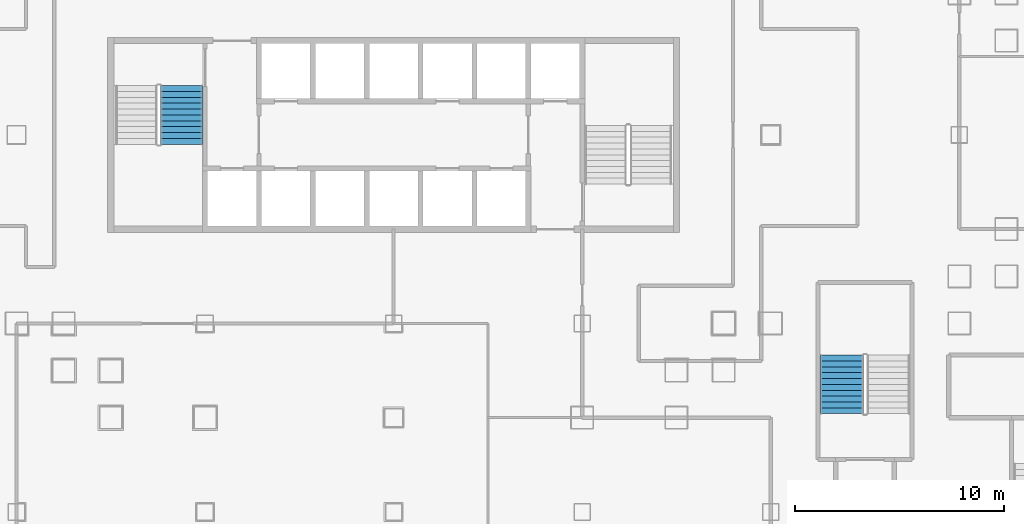
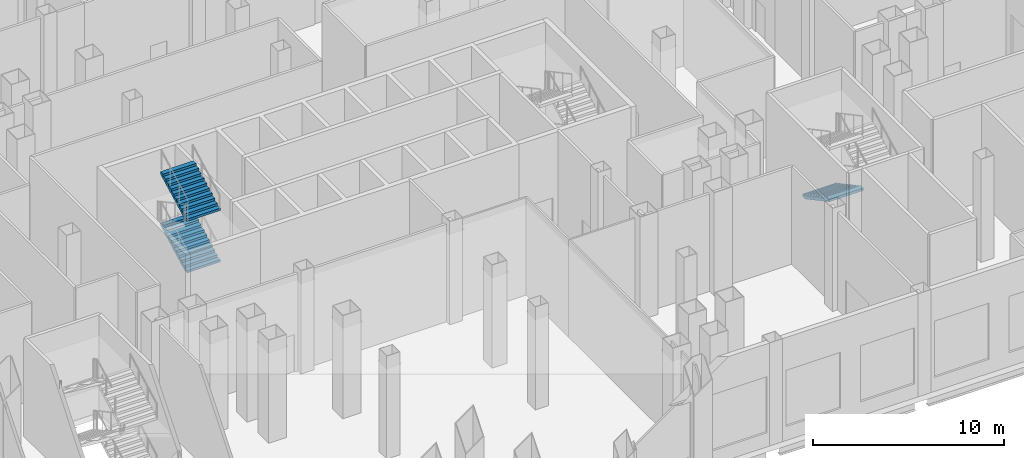
# One storey, part 11 of 26: 3 stair flights, 2 elements without a shape of their own.
"""IFC4 building model written with IfcOpenShell, lengths in metres."""

from ifc_helpers import new_model, si_unit, direction, frame, origin, place, context, subcontext, project, spatial, polygons, material, type_object, element, aggregate, save


model = new_model("IFC4")

# Units and contexts
model_context = context("Model", 3, precision=1e-05, world=origin(), true_north=direction((0.0, 1.0)))
body_context = subcontext(model_context, "Body", "Model", "MODEL_VIEW")
ifc_project = project(units=[si_unit("LENGTHUNIT", "METRE"), si_unit("AREAUNIT", "SQUARE_METRE"), si_unit("VOLUMEUNIT", "CUBIC_METRE"), si_unit("PLANEANGLEUNIT", "RADIAN"), si_unit("MASSUNIT", "GRAM", prefix="KILO")], contexts=[model_context])

# Site, building, storey
site_placement = place(None, origin())
site = spatial("IfcSite", under=ifc_project, at=site_placement, CompositionType="ELEMENT")
building_placement = place(site_placement, origin())
building = spatial("IfcBuilding", under=site, at=building_placement, Name="Caravel Reach Hotel and Residences", CompositionType="ELEMENT")
storey_placement = place(building_placement, frame((0.0, 0.0, 17.39990234375)))
storey = spatial("IfcBuildingStorey", under=building, at=storey_placement, Name="L03", CompositionType="ELEMENT", Elevation=17.39990234375)

# Stair, stair flights
ifc_material_1 = material(Name="Concrete C40", Category="concrete")
stair_type = type_object("IfcStairType", Name="Core stair", PredefinedType="HALF_TURN_STAIR", material=ifc_material_1)
stair_1_placement = place(storey_placement, origin())
stair_1 = element("IfcStair", 1, at=stair_1_placement, inside=storey, type_object=stair_type, Name="L03 Exit stair A", PredefinedType="HALF_TURN_STAIR")
ifc_material_2 = material(Name="Concrete C40", Category="concrete")
stair_flight_type = type_object("IfcStairFlightType", Name="Core stair flight", PredefinedType="STRAIGHT", material=ifc_material_2)
stair_flight_1_placement = place(storey_placement, frame((21.375, 26.550048828125, 1.650146484375), z_axis=(0.0, 0.0, 1.0), x_axis=(0.0, 1.0, 0.0)))
stair_flight_1 = element("IfcStairFlight", 2, at=stair_flight_1_placement, type_object=stair_flight_type, Name="ST-A flight 2", NumberOfRisers=11, NumberOfTreads=10, PredefinedType="STRAIGHT", RiserHeight=0.15, TreadLength=0.28, context=body_context, shape_type="Tessellation", body=[
    polygons([(0.3174408016601862, 1.0, 0.0), (0.3174408016601862, 0.6666666666666667, 0.0), (0.3174408016601862, 0.33333333333333337, 0.0), (0.3174408016601862, 0.0, 0.0), (0.3174408016601862, -0.33333333333333326, 0.0), (0.3174408016601862, -0.6666666666666667, 0.0), (0.3174408016601862, -1.0, 0.0), (2.801, 1.0, 1.329942427682043), (2.801, 0.6666666666666667, 1.329942427682043), (2.801, 0.33333333333333337, 1.329942427682043), (2.801, 0.0, 1.329942427682043), (2.801, -0.33333333333333326, 1.329942427682043), (2.801, -0.6666666666666667, 1.329942427682043), (2.801, -1.0, 1.329942427682043), (2.801, 1.0, 1.5), (2.801, 0.6666666666666667, 1.5), (2.801, 0.33333333333333337, 1.5), (2.801, 0.0, 1.5), (2.801, -0.33333333333333326, 1.5), (2.801, -0.6666666666666667, 1.5), (2.801, -1.0, 1.5), (2.5200000000000005, 1.0, 1.5), (2.5200000000000005, 0.6666666666666667, 1.5), (2.5200000000000005, 0.33333333333333337, 1.5), (2.5200000000000005, 0.0, 1.5), (2.5200000000000005, -0.33333333333333326, 1.5), (2.5200000000000005, -0.6666666666666667, 1.5), (2.5200000000000005, -1.0, 1.5), (2.5200000000000005, 1.0, 1.3499999999999999), (2.5200000000000005, 0.6666666666666667, 1.3499999999999999), (2.5200000000000005, 0.33333333333333337, 1.3499999999999999), (2.5200000000000005, 0.0, 1.3499999999999999), (2.5200000000000005, -0.33333333333333326, 1.3499999999999999), (2.5200000000000005, -0.6666666666666667, 1.3499999999999999), (2.5200000000000005, -1.0, 1.3499999999999999), (2.24, 1.0, 1.3499999999999999), (2.24, 0.6666666666666667, 1.3499999999999999), (2.24, 0.33333333333333337, 1.3499999999999999), (2.24, 0.0, 1.3499999999999999), (2.24, -0.33333333333333326, 1.3499999999999999), (2.24, -0.6666666666666667, 1.3499999999999999), (2.24, -1.0, 1.3499999999999999), (2.24, 1.0, 1.2), (2.24, 0.6666666666666667, 1.2), (2.24, 0.33333333333333337, 1.2), (2.24, 0.0, 1.2), (2.24, -0.33333333333333326, 1.2), (2.24, -0.6666666666666667, 1.2), (2.24, -1.0, 1.2), (1.9600000000000002, 1.0, 1.2), (1.9600000000000002, 0.6666666666666667, 1.2), (1.9600000000000002, 0.33333333333333337, 1.2), (1.9600000000000002, 0.0, 1.2), (1.9600000000000002, -0.33333333333333326, 1.2), (1.9600000000000002, -0.6666666666666667, 1.2), (1.9600000000000002, -1.0, 1.2), (1.9600000000000002, 1.0, 1.05), (1.9600000000000002, 0.6666666666666667, 1.05), (1.9600000000000002, 0.33333333333333337, 1.05), (1.9600000000000002, 0.0, 1.05), (1.9600000000000002, -0.33333333333333326, 1.05), (1.9600000000000002, -0.6666666666666667, 1.05), (1.9600000000000002, -1.0, 1.05), (1.6800000000000002, 1.0, 1.05), (1.6800000000000002, 0.6666666666666667, 1.05), (1.6800000000000002, 0.33333333333333337, 1.05), (1.6800000000000002, 0.0, 1.05), (1.6800000000000002, -0.33333333333333326, 1.05), (1.6800000000000002, -0.6666666666666667, 1.05), (1.6800000000000002, -1.0, 1.05), (1.6800000000000002, 1.0, 0.8999999999999999), (1.6800000000000002, 0.6666666666666667, 0.8999999999999999), (1.6800000000000002, 0.33333333333333337, 0.8999999999999999), (1.6800000000000002, 0.0, 0.8999999999999999), (1.6800000000000002, -0.33333333333333326, 0.8999999999999999), (1.6800000000000002, -0.6666666666666667, 0.8999999999999999), (1.6800000000000002, -1.0, 0.8999999999999999), (1.4000000000000001, 1.0, 0.8999999999999999), (1.4000000000000001, 0.6666666666666667, 0.8999999999999999), (1.4000000000000001, 0.33333333333333337, 0.8999999999999999), (1.4000000000000001, 0.0, 0.8999999999999999), (1.4000000000000001, -0.33333333333333326, 0.8999999999999999), (1.4000000000000001, -0.6666666666666667, 0.8999999999999999), (1.4000000000000001, -1.0, 0.8999999999999999), (1.4000000000000001, 1.0, 0.75), (1.4000000000000001, 0.6666666666666667, 0.75), (1.4000000000000001, 0.33333333333333337, 0.75), (1.4000000000000001, 0.0, 0.75), (1.4000000000000001, -0.33333333333333326, 0.75), (1.4000000000000001, -0.6666666666666667, 0.75), (1.4000000000000001, -1.0, 0.75), (1.12, 1.0, 0.75), (1.12, 0.6666666666666667, 0.75), (1.12, 0.33333333333333337, 0.75), (1.12, 0.0, 0.75), (1.12, -0.33333333333333326, 0.75), (1.12, -0.6666666666666667, 0.75), (1.12, -1.0, 0.75), (1.12, 1.0, 0.6), (1.12, 0.6666666666666667, 0.6), (1.12, 0.33333333333333337, 0.6), (1.12, 0.0, 0.6), (1.12, -0.33333333333333326, 0.6), (1.12, -0.6666666666666667, 0.6), (1.12, -1.0, 0.6), (0.8400000000000001, 1.0, 0.6), (0.8400000000000001, 0.6666666666666667, 0.6), (0.8400000000000001, 0.33333333333333337, 0.6), (0.8400000000000001, 0.0, 0.6), (0.8400000000000001, -0.33333333333333326, 0.6), (0.8400000000000001, -0.6666666666666667, 0.6), (0.8400000000000001, -1.0, 0.6), (0.8400000000000001, 1.0, 0.44999999999999996), (0.8400000000000001, 0.6666666666666667, 0.44999999999999996), (0.8400000000000001, 0.33333333333333337, 0.44999999999999996), (0.8400000000000001, 0.0, 0.44999999999999996), (0.8400000000000001, -0.33333333333333326, 0.44999999999999996), (0.8400000000000001, -0.6666666666666667, 0.44999999999999996), (0.8400000000000001, -1.0, 0.44999999999999996), (0.56, 1.0, 0.44999999999999996), (0.56, 0.6666666666666667, 0.44999999999999996), (0.56, 0.33333333333333337, 0.44999999999999996), (0.56, 0.0, 0.44999999999999996), (0.56, -0.33333333333333326, 0.44999999999999996), (0.56, -0.6666666666666667, 0.44999999999999996), (0.56, -1.0, 0.44999999999999996), (0.56, 1.0, 0.3), (0.56, 0.6666666666666667, 0.3), (0.56, 0.33333333333333337, 0.3), (0.56, 0.0, 0.3), (0.56, -0.33333333333333326, 0.3), (0.56, -0.6666666666666667, 0.3), (0.56, -1.0, 0.3), (0.28, 1.0, 0.3), (0.28, 0.6666666666666667, 0.3), (0.28, 0.33333333333333337, 0.3), (0.28, 0.0, 0.3), (0.28, -0.33333333333333326, 0.3), (0.28, -0.6666666666666667, 0.3), (0.28, -1.0, 0.3), (0.28, 1.0, 0.15), (0.28, 0.6666666666666667, 0.15), (0.28, 0.33333333333333337, 0.15), (0.28, 0.0, 0.15), (0.28, -0.33333333333333326, 0.15), (0.28, -0.6666666666666667, 0.15), (0.28, -1.0, 0.15), (-0.001, 1.0, 0.15), (-0.001, 0.6666666666666667, 0.15), (-0.001, 0.33333333333333337, 0.15), (-0.001, 0.0, 0.15), (-0.001, -0.33333333333333326, 0.15), (-0.001, -0.6666666666666667, 0.15), (-0.001, -1.0, 0.15), (-0.001, 1.0, 0.0), (-0.001, 0.6666666666666667, 0.0), (-0.001, 0.33333333333333337, 0.0), (-0.001, 0.0, 0.0), (-0.001, -0.33333333333333326, 0.0), (-0.001, -0.6666666666666667, 0.0), (-0.001, -1.0, 0.0)], [[[155, 148, 141, 134, 127, 120, 113, 106, 99, 92, 85, 78, 71, 64, 57, 50, 43, 36, 29, 22, 15, 8, 1]], [[7, 14, 21, 28, 35, 42, 49, 56, 63, 70, 77, 84, 91, 98, 105, 112, 119, 126, 133, 140, 147, 154, 161]], [[1, 8, 9, 2]], [[2, 9, 10, 3]], [[3, 10, 11, 4]], [[4, 11, 12, 5]], [[5, 12, 13, 6]], [[6, 13, 14, 7]], [[8, 15, 16, 9]], [[9, 16, 17, 10]], [[10, 17, 18, 11]], [[11, 18, 19, 12]], [[12, 19, 20, 13]], [[13, 20, 21, 14]], [[15, 22, 23, 16]], [[16, 23, 24, 17]], [[17, 24, 25, 18]], [[18, 25, 26, 19]], [[19, 26, 27, 20]], [[20, 27, 28, 21]], [[22, 29, 30, 23]], [[23, 30, 31, 24]], [[24, 31, 32, 25]], [[25, 32, 33, 26]], [[26, 33, 34, 27]], [[27, 34, 35, 28]], [[29, 36, 37, 30]], [[30, 37, 38, 31]], [[31, 38, 39, 32]], [[32, 39, 40, 33]], [[33, 40, 41, 34]], [[34, 41, 42, 35]], [[36, 43, 44, 37]], [[37, 44, 45, 38]], [[38, 45, 46, 39]], [[39, 46, 47, 40]], [[40, 47, 48, 41]], [[41, 48, 49, 42]], [[43, 50, 51, 44]], [[44, 51, 52, 45]], [[45, 52, 53, 46]], [[46, 53, 54, 47]], [[47, 54, 55, 48]], [[48, 55, 56, 49]], [[50, 57, 58, 51]], [[51, 58, 59, 52]], [[52, 59, 60, 53]], [[53, 60, 61, 54]], [[54, 61, 62, 55]], [[55, 62, 63, 56]], [[57, 64, 65, 58]], [[58, 65, 66, 59]], [[59, 66, 67, 60]], [[60, 67, 68, 61]], [[61, 68, 69, 62]], [[62, 69, 70, 63]], [[64, 71, 72, 65]], [[65, 72, 73, 66]], [[66, 73, 74, 67]], [[67, 74, 75, 68]], [[68, 75, 76, 69]], [[69, 76, 77, 70]], [[71, 78, 79, 72]], [[72, 79, 80, 73]], [[73, 80, 81, 74]], [[74, 81, 82, 75]], [[75, 82, 83, 76]], [[76, 83, 84, 77]], [[78, 85, 86, 79]], [[79, 86, 87, 80]], [[80, 87, 88, 81]], [[81, 88, 89, 82]], [[82, 89, 90, 83]], [[83, 90, 91, 84]], [[85, 92, 93, 86]], [[86, 93, 94, 87]], [[87, 94, 95, 88]], [[88, 95, 96, 89]], [[89, 96, 97, 90]], [[90, 97, 98, 91]], [[92, 99, 100, 93]], [[93, 100, 101, 94]], [[94, 101, 102, 95]], [[95, 102, 103, 96]], [[96, 103, 104, 97]], [[97, 104, 105, 98]], [[99, 106, 107, 100]], [[100, 107, 108, 101]], [[101, 108, 109, 102]], [[102, 109, 110, 103]], [[103, 110, 111, 104]], [[104, 111, 112, 105]], [[106, 113, 114, 107]], [[107, 114, 115, 108]], [[108, 115, 116, 109]], [[109, 116, 117, 110]], [[110, 117, 118, 111]], [[111, 118, 119, 112]], [[113, 120, 121, 114]], [[114, 121, 122, 115]], [[115, 122, 123, 116]], [[116, 123, 124, 117]], [[117, 124, 125, 118]], [[118, 125, 126, 119]], [[120, 127, 128, 121]], [[121, 128, 129, 122]], [[122, 129, 130, 123]], [[123, 130, 131, 124]], [[124, 131, 132, 125]], [[125, 132, 133, 126]], [[127, 134, 135, 128]], [[128, 135, 136, 129]], [[129, 136, 137, 130]], [[130, 137, 138, 131]], [[131, 138, 139, 132]], [[132, 139, 140, 133]], [[134, 141, 142, 135]], [[135, 142, 143, 136]], [[136, 143, 144, 137]], [[137, 144, 145, 138]], [[138, 145, 146, 139]], [[139, 146, 147, 140]], [[141, 148, 149, 142]], [[142, 149, 150, 143]], [[143, 150, 151, 144]], [[144, 151, 152, 145]], [[145, 152, 153, 146]], [[146, 153, 154, 147]], [[148, 155, 156, 149]], [[149, 156, 157, 150]], [[150, 157, 158, 151]], [[151, 158, 159, 152]], [[152, 159, 160, 153]], [[153, 160, 161, 154]], [[155, 1, 2, 156]], [[156, 2, 3, 157]], [[157, 3, 4, 158]], [[158, 4, 5, 159]], [[159, 5, 6, 160]], [[160, 6, 7, 161]]], closed=True),
])
stair_flight_2_placement = place(storey_placement, frame((21.375, 26.550048828125, 4.9501953125), z_axis=(0.0, 0.0, 1.0), x_axis=(0.0, 1.0, 0.0)))
stair_flight_2 = element("IfcStairFlight", 3, at=stair_flight_2_placement, type_object=stair_flight_type, Name="ST-A flight 4", NumberOfRisers=11, NumberOfTreads=10, PredefinedType="STRAIGHT", RiserHeight=0.15, TreadLength=0.28, context=body_context, shape_type="Tessellation", body=[
    polygons([(0.3174408016601862, 1.0, 0.0), (0.3174408016601862, 0.6666666666666667, 0.0), (0.3174408016601862, 0.33333333333333337, 0.0), (0.3174408016601862, 0.0, 0.0), (0.3174408016601862, -0.33333333333333326, 0.0), (0.3174408016601862, -0.6666666666666667, 0.0), (0.3174408016601862, -1.0, 0.0), (2.801, 1.0, 1.329942427682043), (2.801, 0.6666666666666667, 1.329942427682043), (2.801, 0.33333333333333337, 1.329942427682043), (2.801, 0.0, 1.329942427682043), (2.801, -0.33333333333333326, 1.329942427682043), (2.801, -0.6666666666666667, 1.329942427682043), (2.801, -1.0, 1.329942427682043), (2.801, 1.0, 1.5), (2.801, 0.6666666666666667, 1.5), (2.801, 0.33333333333333337, 1.5), (2.801, 0.0, 1.5), (2.801, -0.33333333333333326, 1.5), (2.801, -0.6666666666666667, 1.5), (2.801, -1.0, 1.5), (2.5200000000000005, 1.0, 1.5), (2.5200000000000005, 0.6666666666666667, 1.5), (2.5200000000000005, 0.33333333333333337, 1.5), (2.5200000000000005, 0.0, 1.5), (2.5200000000000005, -0.33333333333333326, 1.5), (2.5200000000000005, -0.6666666666666667, 1.5), (2.5200000000000005, -1.0, 1.5), (2.5200000000000005, 1.0, 1.3499999999999999), (2.5200000000000005, 0.6666666666666667, 1.3499999999999999), (2.5200000000000005, 0.33333333333333337, 1.3499999999999999), (2.5200000000000005, 0.0, 1.3499999999999999), (2.5200000000000005, -0.33333333333333326, 1.3499999999999999), (2.5200000000000005, -0.6666666666666667, 1.3499999999999999), (2.5200000000000005, -1.0, 1.3499999999999999), (2.24, 1.0, 1.3499999999999999), (2.24, 0.6666666666666667, 1.3499999999999999), (2.24, 0.33333333333333337, 1.3499999999999999), (2.24, 0.0, 1.3499999999999999), (2.24, -0.33333333333333326, 1.3499999999999999), (2.24, -0.6666666666666667, 1.3499999999999999), (2.24, -1.0, 1.3499999999999999), (2.24, 1.0, 1.2), (2.24, 0.6666666666666667, 1.2), (2.24, 0.33333333333333337, 1.2), (2.24, 0.0, 1.2), (2.24, -0.33333333333333326, 1.2), (2.24, -0.6666666666666667, 1.2), (2.24, -1.0, 1.2), (1.9600000000000002, 1.0, 1.2), (1.9600000000000002, 0.6666666666666667, 1.2), (1.9600000000000002, 0.33333333333333337, 1.2), (1.9600000000000002, 0.0, 1.2), (1.9600000000000002, -0.33333333333333326, 1.2), (1.9600000000000002, -0.6666666666666667, 1.2), (1.9600000000000002, -1.0, 1.2), (1.9600000000000002, 1.0, 1.05), (1.9600000000000002, 0.6666666666666667, 1.05), (1.9600000000000002, 0.33333333333333337, 1.05), (1.9600000000000002, 0.0, 1.05), (1.9600000000000002, -0.33333333333333326, 1.05), (1.9600000000000002, -0.6666666666666667, 1.05), (1.9600000000000002, -1.0, 1.05), (1.6800000000000002, 1.0, 1.05), (1.6800000000000002, 0.6666666666666667, 1.05), (1.6800000000000002, 0.33333333333333337, 1.05), (1.6800000000000002, 0.0, 1.05), (1.6800000000000002, -0.33333333333333326, 1.05), (1.6800000000000002, -0.6666666666666667, 1.05), (1.6800000000000002, -1.0, 1.05), (1.6800000000000002, 1.0, 0.8999999999999999), (1.6800000000000002, 0.6666666666666667, 0.8999999999999999), (1.6800000000000002, 0.33333333333333337, 0.8999999999999999), (1.6800000000000002, 0.0, 0.8999999999999999), (1.6800000000000002, -0.33333333333333326, 0.8999999999999999), (1.6800000000000002, -0.6666666666666667, 0.8999999999999999), (1.6800000000000002, -1.0, 0.8999999999999999), (1.4000000000000001, 1.0, 0.8999999999999999), (1.4000000000000001, 0.6666666666666667, 0.8999999999999999), (1.4000000000000001, 0.33333333333333337, 0.8999999999999999), (1.4000000000000001, 0.0, 0.8999999999999999), (1.4000000000000001, -0.33333333333333326, 0.8999999999999999), (1.4000000000000001, -0.6666666666666667, 0.8999999999999999), (1.4000000000000001, -1.0, 0.8999999999999999), (1.4000000000000001, 1.0, 0.75), (1.4000000000000001, 0.6666666666666667, 0.75), (1.4000000000000001, 0.33333333333333337, 0.75), (1.4000000000000001, 0.0, 0.75), (1.4000000000000001, -0.33333333333333326, 0.75), (1.4000000000000001, -0.6666666666666667, 0.75), (1.4000000000000001, -1.0, 0.75), (1.12, 1.0, 0.75), (1.12, 0.6666666666666667, 0.75), (1.12, 0.33333333333333337, 0.75), (1.12, 0.0, 0.75), (1.12, -0.33333333333333326, 0.75), (1.12, -0.6666666666666667, 0.75), (1.12, -1.0, 0.75), (1.12, 1.0, 0.6), (1.12, 0.6666666666666667, 0.6), (1.12, 0.33333333333333337, 0.6), (1.12, 0.0, 0.6), (1.12, -0.33333333333333326, 0.6), (1.12, -0.6666666666666667, 0.6), (1.12, -1.0, 0.6), (0.8400000000000001, 1.0, 0.6), (0.8400000000000001, 0.6666666666666667, 0.6), (0.8400000000000001, 0.33333333333333337, 0.6), (0.8400000000000001, 0.0, 0.6), (0.8400000000000001, -0.33333333333333326, 0.6), (0.8400000000000001, -0.6666666666666667, 0.6), (0.8400000000000001, -1.0, 0.6), (0.8400000000000001, 1.0, 0.44999999999999996), (0.8400000000000001, 0.6666666666666667, 0.44999999999999996), (0.8400000000000001, 0.33333333333333337, 0.44999999999999996), (0.8400000000000001, 0.0, 0.44999999999999996), (0.8400000000000001, -0.33333333333333326, 0.44999999999999996), (0.8400000000000001, -0.6666666666666667, 0.44999999999999996), (0.8400000000000001, -1.0, 0.44999999999999996), (0.56, 1.0, 0.44999999999999996), (0.56, 0.6666666666666667, 0.44999999999999996), (0.56, 0.33333333333333337, 0.44999999999999996), (0.56, 0.0, 0.44999999999999996), (0.56, -0.33333333333333326, 0.44999999999999996), (0.56, -0.6666666666666667, 0.44999999999999996), (0.56, -1.0, 0.44999999999999996), (0.56, 1.0, 0.3), (0.56, 0.6666666666666667, 0.3), (0.56, 0.33333333333333337, 0.3), (0.56, 0.0, 0.3), (0.56, -0.33333333333333326, 0.3), (0.56, -0.6666666666666667, 0.3), (0.56, -1.0, 0.3), (0.28, 1.0, 0.3), (0.28, 0.6666666666666667, 0.3), (0.28, 0.33333333333333337, 0.3), (0.28, 0.0, 0.3), (0.28, -0.33333333333333326, 0.3), (0.28, -0.6666666666666667, 0.3), (0.28, -1.0, 0.3), (0.28, 1.0, 0.15), (0.28, 0.6666666666666667, 0.15), (0.28, 0.33333333333333337, 0.15), (0.28, 0.0, 0.15), (0.28, -0.33333333333333326, 0.15), (0.28, -0.6666666666666667, 0.15), (0.28, -1.0, 0.15), (-0.001, 1.0, 0.15), (-0.001, 0.6666666666666667, 0.15), (-0.001, 0.33333333333333337, 0.15), (-0.001, 0.0, 0.15), (-0.001, -0.33333333333333326, 0.15), (-0.001, -0.6666666666666667, 0.15), (-0.001, -1.0, 0.15), (-0.001, 1.0, 0.0), (-0.001, 0.6666666666666667, 0.0), (-0.001, 0.33333333333333337, 0.0), (-0.001, 0.0, 0.0), (-0.001, -0.33333333333333326, 0.0), (-0.001, -0.6666666666666667, 0.0), (-0.001, -1.0, 0.0)], [[[155, 148, 141, 134, 127, 120, 113, 106, 99, 92, 85, 78, 71, 64, 57, 50, 43, 36, 29, 22, 15, 8, 1]], [[7, 14, 21, 28, 35, 42, 49, 56, 63, 70, 77, 84, 91, 98, 105, 112, 119, 126, 133, 140, 147, 154, 161]], [[1, 8, 9, 2]], [[2, 9, 10, 3]], [[3, 10, 11, 4]], [[4, 11, 12, 5]], [[5, 12, 13, 6]], [[6, 13, 14, 7]], [[8, 15, 16, 9]], [[9, 16, 17, 10]], [[10, 17, 18, 11]], [[11, 18, 19, 12]], [[12, 19, 20, 13]], [[13, 20, 21, 14]], [[15, 22, 23, 16]], [[16, 23, 24, 17]], [[17, 24, 25, 18]], [[18, 25, 26, 19]], [[19, 26, 27, 20]], [[20, 27, 28, 21]], [[22, 29, 30, 23]], [[23, 30, 31, 24]], [[24, 31, 32, 25]], [[25, 32, 33, 26]], [[26, 33, 34, 27]], [[27, 34, 35, 28]], [[29, 36, 37, 30]], [[30, 37, 38, 31]], [[31, 38, 39, 32]], [[32, 39, 40, 33]], [[33, 40, 41, 34]], [[34, 41, 42, 35]], [[36, 43, 44, 37]], [[37, 44, 45, 38]], [[38, 45, 46, 39]], [[39, 46, 47, 40]], [[40, 47, 48, 41]], [[41, 48, 49, 42]], [[43, 50, 51, 44]], [[44, 51, 52, 45]], [[45, 52, 53, 46]], [[46, 53, 54, 47]], [[47, 54, 55, 48]], [[48, 55, 56, 49]], [[50, 57, 58, 51]], [[51, 58, 59, 52]], [[52, 59, 60, 53]], [[53, 60, 61, 54]], [[54, 61, 62, 55]], [[55, 62, 63, 56]], [[57, 64, 65, 58]], [[58, 65, 66, 59]], [[59, 66, 67, 60]], [[60, 67, 68, 61]], [[61, 68, 69, 62]], [[62, 69, 70, 63]], [[64, 71, 72, 65]], [[65, 72, 73, 66]], [[66, 73, 74, 67]], [[67, 74, 75, 68]], [[68, 75, 76, 69]], [[69, 76, 77, 70]], [[71, 78, 79, 72]], [[72, 79, 80, 73]], [[73, 80, 81, 74]], [[74, 81, 82, 75]], [[75, 82, 83, 76]], [[76, 83, 84, 77]], [[78, 85, 86, 79]], [[79, 86, 87, 80]], [[80, 87, 88, 81]], [[81, 88, 89, 82]], [[82, 89, 90, 83]], [[83, 90, 91, 84]], [[85, 92, 93, 86]], [[86, 93, 94, 87]], [[87, 94, 95, 88]], [[88, 95, 96, 89]], [[89, 96, 97, 90]], [[90, 97, 98, 91]], [[92, 99, 100, 93]], [[93, 100, 101, 94]], [[94, 101, 102, 95]], [[95, 102, 103, 96]], [[96, 103, 104, 97]], [[97, 104, 105, 98]], [[99, 106, 107, 100]], [[100, 107, 108, 101]], [[101, 108, 109, 102]], [[102, 109, 110, 103]], [[103, 110, 111, 104]], [[104, 111, 112, 105]], [[106, 113, 114, 107]], [[107, 114, 115, 108]], [[108, 115, 116, 109]], [[109, 116, 117, 110]], [[110, 117, 118, 111]], [[111, 118, 119, 112]], [[113, 120, 121, 114]], [[114, 121, 122, 115]], [[115, 122, 123, 116]], [[116, 123, 124, 117]], [[117, 124, 125, 118]], [[118, 125, 126, 119]], [[120, 127, 128, 121]], [[121, 128, 129, 122]], [[122, 129, 130, 123]], [[123, 130, 131, 124]], [[124, 131, 132, 125]], [[125, 132, 133, 126]], [[127, 134, 135, 128]], [[128, 135, 136, 129]], [[129, 136, 137, 130]], [[130, 137, 138, 131]], [[131, 138, 139, 132]], [[132, 139, 140, 133]], [[134, 141, 142, 135]], [[135, 142, 143, 136]], [[136, 143, 144, 137]], [[137, 144, 145, 138]], [[138, 145, 146, 139]], [[139, 146, 147, 140]], [[141, 148, 149, 142]], [[142, 149, 150, 143]], [[143, 150, 151, 144]], [[144, 151, 152, 145]], [[145, 152, 153, 146]], [[146, 153, 154, 147]], [[148, 155, 156, 149]], [[149, 156, 157, 150]], [[150, 157, 158, 151]], [[151, 158, 159, 152]], [[152, 159, 160, 153]], [[153, 160, 161, 154]], [[155, 1, 2, 156]], [[156, 2, 3, 157]], [[157, 3, 4, 158]], [[158, 4, 5, 159]], [[159, 5, 6, 160]], [[160, 6, 7, 161]]], closed=True),
])
aggregate(stair_1, [stair_flight_1, stair_flight_2])

# Stair, stair flight
stair_2_placement = place(storey_placement, origin())
stair_2 = element("IfcStair", 4, at=stair_2_placement, inside=storey, type_object=stair_type, Name="L03 Exit stair P4", PredefinedType="HALF_TURN_STAIR")
stair_flight_3_placement = place(storey_placement, frame((52.889892578125, 16.489990234375, 1.650146484375), z_axis=(0.0, 0.0, 1.0), x_axis=(0.0, -1.0, 0.0)))
stair_flight_3 = element("IfcStairFlight", 5, at=stair_flight_3_placement, type_object=stair_flight_type, Name="ST-P4 flight 2", NumberOfRisers=11, NumberOfTreads=10, PredefinedType="STRAIGHT", RiserHeight=0.15, TreadLength=0.28, context=body_context, shape_type="Tessellation", body=[
    polygons([(0.3174408016601862, 1.0350341796875, 0.0), (0.3174408016601862, 0.6900227864583333, 0.0), (0.3174408016601862, 0.34501139322916663, 0.0), (0.3174408016601862, 0.0, 0.0), (0.3174408016601862, -0.34501139322916674, 0.0), (0.3174408016601862, -0.6900227864583333, 0.0), (0.3174408016601862, -1.0350341796875, 0.0), (2.801, 1.0350341796875, 1.329942427682043), (2.801, 0.6900227864583333, 1.329942427682043), (2.801, 0.34501139322916663, 1.329942427682043), (2.801, 0.0, 1.329942427682043), (2.801, -0.34501139322916674, 1.329942427682043), (2.801, -0.6900227864583333, 1.329942427682043), (2.801, -1.0350341796875, 1.329942427682043), (2.801, 1.0350341796875, 1.5), (2.801, 0.6900227864583333, 1.5), (2.801, 0.34501139322916663, 1.5), (2.801, 0.0, 1.5), (2.801, -0.34501139322916674, 1.5), (2.801, -0.6900227864583333, 1.5), (2.801, -1.0350341796875, 1.5), (2.5200000000000005, 1.0350341796875, 1.5), (2.5200000000000005, 0.6900227864583333, 1.5), (2.5200000000000005, 0.34501139322916663, 1.5), (2.5200000000000005, 0.0, 1.5), (2.5200000000000005, -0.34501139322916674, 1.5), (2.5200000000000005, -0.6900227864583333, 1.5), (2.5200000000000005, -1.0350341796875, 1.5), (2.5200000000000005, 1.0350341796875, 1.3499999999999999), (2.5200000000000005, 0.6900227864583333, 1.3499999999999999), (2.5200000000000005, 0.34501139322916663, 1.3499999999999999), (2.5200000000000005, 0.0, 1.3499999999999999), (2.5200000000000005, -0.34501139322916674, 1.3499999999999999), (2.5200000000000005, -0.6900227864583333, 1.3499999999999999), (2.5200000000000005, -1.0350341796875, 1.3499999999999999), (2.24, 1.0350341796875, 1.3499999999999999), (2.24, 0.6900227864583333, 1.3499999999999999), (2.24, 0.34501139322916663, 1.3499999999999999), (2.24, 0.0, 1.3499999999999999), (2.24, -0.34501139322916674, 1.3499999999999999), (2.24, -0.6900227864583333, 1.3499999999999999), (2.24, -1.0350341796875, 1.3499999999999999), (2.24, 1.0350341796875, 1.2), (2.24, 0.6900227864583333, 1.2), (2.24, 0.34501139322916663, 1.2), (2.24, 0.0, 1.2), (2.24, -0.34501139322916674, 1.2), (2.24, -0.6900227864583333, 1.2), (2.24, -1.0350341796875, 1.2), (1.9600000000000002, 1.0350341796875, 1.2), (1.9600000000000002, 0.6900227864583333, 1.2), (1.9600000000000002, 0.34501139322916663, 1.2), (1.9600000000000002, 0.0, 1.2), (1.9600000000000002, -0.34501139322916674, 1.2), (1.9600000000000002, -0.6900227864583333, 1.2), (1.9600000000000002, -1.0350341796875, 1.2), (1.9600000000000002, 1.0350341796875, 1.05), (1.9600000000000002, 0.6900227864583333, 1.05), (1.9600000000000002, 0.34501139322916663, 1.05), (1.9600000000000002, 0.0, 1.05), (1.9600000000000002, -0.34501139322916674, 1.05), (1.9600000000000002, -0.6900227864583333, 1.05), (1.9600000000000002, -1.0350341796875, 1.05), (1.6800000000000002, 1.0350341796875, 1.05), (1.6800000000000002, 0.6900227864583333, 1.05), (1.6800000000000002, 0.34501139322916663, 1.05), (1.6800000000000002, 0.0, 1.05), (1.6800000000000002, -0.34501139322916674, 1.05), (1.6800000000000002, -0.6900227864583333, 1.05), (1.6800000000000002, -1.0350341796875, 1.05), (1.6800000000000002, 1.0350341796875, 0.8999999999999999), (1.6800000000000002, 0.6900227864583333, 0.8999999999999999), (1.6800000000000002, 0.34501139322916663, 0.8999999999999999), (1.6800000000000002, 0.0, 0.8999999999999999), (1.6800000000000002, -0.34501139322916674, 0.8999999999999999), (1.6800000000000002, -0.6900227864583333, 0.8999999999999999), (1.6800000000000002, -1.0350341796875, 0.8999999999999999), (1.4000000000000001, 1.0350341796875, 0.8999999999999999), (1.4000000000000001, 0.6900227864583333, 0.8999999999999999), (1.4000000000000001, 0.34501139322916663, 0.8999999999999999), (1.4000000000000001, 0.0, 0.8999999999999999), (1.4000000000000001, -0.34501139322916674, 0.8999999999999999), (1.4000000000000001, -0.6900227864583333, 0.8999999999999999), (1.4000000000000001, -1.0350341796875, 0.8999999999999999), (1.4000000000000001, 1.0350341796875, 0.75), (1.4000000000000001, 0.6900227864583333, 0.75), (1.4000000000000001, 0.34501139322916663, 0.75), (1.4000000000000001, 0.0, 0.75), (1.4000000000000001, -0.34501139322916674, 0.75), (1.4000000000000001, -0.6900227864583333, 0.75), (1.4000000000000001, -1.0350341796875, 0.75), (1.12, 1.0350341796875, 0.75), (1.12, 0.6900227864583333, 0.75), (1.12, 0.34501139322916663, 0.75), (1.12, 0.0, 0.75), (1.12, -0.34501139322916674, 0.75), (1.12, -0.6900227864583333, 0.75), (1.12, -1.0350341796875, 0.75), (1.12, 1.0350341796875, 0.6), (1.12, 0.6900227864583333, 0.6), (1.12, 0.34501139322916663, 0.6), (1.12, 0.0, 0.6), (1.12, -0.34501139322916674, 0.6), (1.12, -0.6900227864583333, 0.6), (1.12, -1.0350341796875, 0.6), (0.8400000000000001, 1.0350341796875, 0.6), (0.8400000000000001, 0.6900227864583333, 0.6), (0.8400000000000001, 0.34501139322916663, 0.6), (0.8400000000000001, 0.0, 0.6), (0.8400000000000001, -0.34501139322916674, 0.6), (0.8400000000000001, -0.6900227864583333, 0.6), (0.8400000000000001, -1.0350341796875, 0.6), (0.8400000000000001, 1.0350341796875, 0.44999999999999996), (0.8400000000000001, 0.6900227864583333, 0.44999999999999996), (0.8400000000000001, 0.34501139322916663, 0.44999999999999996), (0.8400000000000001, 0.0, 0.44999999999999996), (0.8400000000000001, -0.34501139322916674, 0.44999999999999996), (0.8400000000000001, -0.6900227864583333, 0.44999999999999996), (0.8400000000000001, -1.0350341796875, 0.44999999999999996), (0.56, 1.0350341796875, 0.44999999999999996), (0.56, 0.6900227864583333, 0.44999999999999996), (0.56, 0.34501139322916663, 0.44999999999999996), (0.56, 0.0, 0.44999999999999996), (0.56, -0.34501139322916674, 0.44999999999999996), (0.56, -0.6900227864583333, 0.44999999999999996), (0.56, -1.0350341796875, 0.44999999999999996), (0.56, 1.0350341796875, 0.3), (0.56, 0.6900227864583333, 0.3), (0.56, 0.34501139322916663, 0.3), (0.56, 0.0, 0.3), (0.56, -0.34501139322916674, 0.3), (0.56, -0.6900227864583333, 0.3), (0.56, -1.0350341796875, 0.3), (0.28, 1.0350341796875, 0.3), (0.28, 0.6900227864583333, 0.3), (0.28, 0.34501139322916663, 0.3), (0.28, 0.0, 0.3), (0.28, -0.34501139322916674, 0.3), (0.28, -0.6900227864583333, 0.3), (0.28, -1.0350341796875, 0.3), (0.28, 1.0350341796875, 0.15), (0.28, 0.6900227864583333, 0.15), (0.28, 0.34501139322916663, 0.15), (0.28, 0.0, 0.15), (0.28, -0.34501139322916674, 0.15), (0.28, -0.6900227864583333, 0.15), (0.28, -1.0350341796875, 0.15), (-0.001, 1.0350341796875, 0.15), (-0.001, 0.6900227864583333, 0.15), (-0.001, 0.34501139322916663, 0.15), (-0.001, 0.0, 0.15), (-0.001, -0.34501139322916674, 0.15), (-0.001, -0.6900227864583333, 0.15), (-0.001, -1.0350341796875, 0.15), (-0.001, 1.0350341796875, 0.0), (-0.001, 0.6900227864583333, 0.0), (-0.001, 0.34501139322916663, 0.0), (-0.001, 0.0, 0.0), (-0.001, -0.34501139322916674, 0.0), (-0.001, -0.6900227864583333, 0.0), (-0.001, -1.0350341796875, 0.0)], [[[155, 148, 141, 134, 127, 120, 113, 106, 99, 92, 85, 78, 71, 64, 57, 50, 43, 36, 29, 22, 15, 8, 1]], [[7, 14, 21, 28, 35, 42, 49, 56, 63, 70, 77, 84, 91, 98, 105, 112, 119, 126, 133, 140, 147, 154, 161]], [[1, 8, 9, 2]], [[2, 9, 10, 3]], [[3, 10, 11, 4]], [[4, 11, 12, 5]], [[5, 12, 13, 6]], [[6, 13, 14, 7]], [[8, 15, 16, 9]], [[9, 16, 17, 10]], [[10, 17, 18, 11]], [[11, 18, 19, 12]], [[12, 19, 20, 13]], [[13, 20, 21, 14]], [[15, 22, 23, 16]], [[16, 23, 24, 17]], [[17, 24, 25, 18]], [[18, 25, 26, 19]], [[19, 26, 27, 20]], [[20, 27, 28, 21]], [[22, 29, 30, 23]], [[23, 30, 31, 24]], [[24, 31, 32, 25]], [[25, 32, 33, 26]], [[26, 33, 34, 27]], [[27, 34, 35, 28]], [[29, 36, 37, 30]], [[30, 37, 38, 31]], [[31, 38, 39, 32]], [[32, 39, 40, 33]], [[33, 40, 41, 34]], [[34, 41, 42, 35]], [[36, 43, 44, 37]], [[37, 44, 45, 38]], [[38, 45, 46, 39]], [[39, 46, 47, 40]], [[40, 47, 48, 41]], [[41, 48, 49, 42]], [[43, 50, 51, 44]], [[44, 51, 52, 45]], [[45, 52, 53, 46]], [[46, 53, 54, 47]], [[47, 54, 55, 48]], [[48, 55, 56, 49]], [[50, 57, 58, 51]], [[51, 58, 59, 52]], [[52, 59, 60, 53]], [[53, 60, 61, 54]], [[54, 61, 62, 55]], [[55, 62, 63, 56]], [[57, 64, 65, 58]], [[58, 65, 66, 59]], [[59, 66, 67, 60]], [[60, 67, 68, 61]], [[61, 68, 69, 62]], [[62, 69, 70, 63]], [[64, 71, 72, 65]], [[65, 72, 73, 66]], [[66, 73, 74, 67]], [[67, 74, 75, 68]], [[68, 75, 76, 69]], [[69, 76, 77, 70]], [[71, 78, 79, 72]], [[72, 79, 80, 73]], [[73, 80, 81, 74]], [[74, 81, 82, 75]], [[75, 82, 83, 76]], [[76, 83, 84, 77]], [[78, 85, 86, 79]], [[79, 86, 87, 80]], [[80, 87, 88, 81]], [[81, 88, 89, 82]], [[82, 89, 90, 83]], [[83, 90, 91, 84]], [[85, 92, 93, 86]], [[86, 93, 94, 87]], [[87, 94, 95, 88]], [[88, 95, 96, 89]], [[89, 96, 97, 90]], [[90, 97, 98, 91]], [[92, 99, 100, 93]], [[93, 100, 101, 94]], [[94, 101, 102, 95]], [[95, 102, 103, 96]], [[96, 103, 104, 97]], [[97, 104, 105, 98]], [[99, 106, 107, 100]], [[100, 107, 108, 101]], [[101, 108, 109, 102]], [[102, 109, 110, 103]], [[103, 110, 111, 104]], [[104, 111, 112, 105]], [[106, 113, 114, 107]], [[107, 114, 115, 108]], [[108, 115, 116, 109]], [[109, 116, 117, 110]], [[110, 117, 118, 111]], [[111, 118, 119, 112]], [[113, 120, 121, 114]], [[114, 121, 122, 115]], [[115, 122, 123, 116]], [[116, 123, 124, 117]], [[117, 124, 125, 118]], [[118, 125, 126, 119]], [[120, 127, 128, 121]], [[121, 128, 129, 122]], [[122, 129, 130, 123]], [[123, 130, 131, 124]], [[124, 131, 132, 125]], [[125, 132, 133, 126]], [[127, 134, 135, 128]], [[128, 135, 136, 129]], [[129, 136, 137, 130]], [[130, 137, 138, 131]], [[131, 138, 139, 132]], [[132, 139, 140, 133]], [[134, 141, 142, 135]], [[135, 142, 143, 136]], [[136, 143, 144, 137]], [[137, 144, 145, 138]], [[138, 145, 146, 139]], [[139, 146, 147, 140]], [[141, 148, 149, 142]], [[142, 149, 150, 143]], [[143, 150, 151, 144]], [[144, 151, 152, 145]], [[145, 152, 153, 146]], [[146, 153, 154, 147]], [[148, 155, 156, 149]], [[149, 156, 157, 150]], [[150, 157, 158, 151]], [[151, 158, 159, 152]], [[152, 159, 160, 153]], [[153, 160, 161, 154]], [[155, 1, 2, 156]], [[156, 2, 3, 157]], [[157, 3, 4, 158]], [[158, 4, 5, 159]], [[159, 5, 6, 160]], [[160, 6, 7, 161]]], closed=True),
])
aggregate(stair_2, [stair_flight_3])

save(model, "model.ifc")
